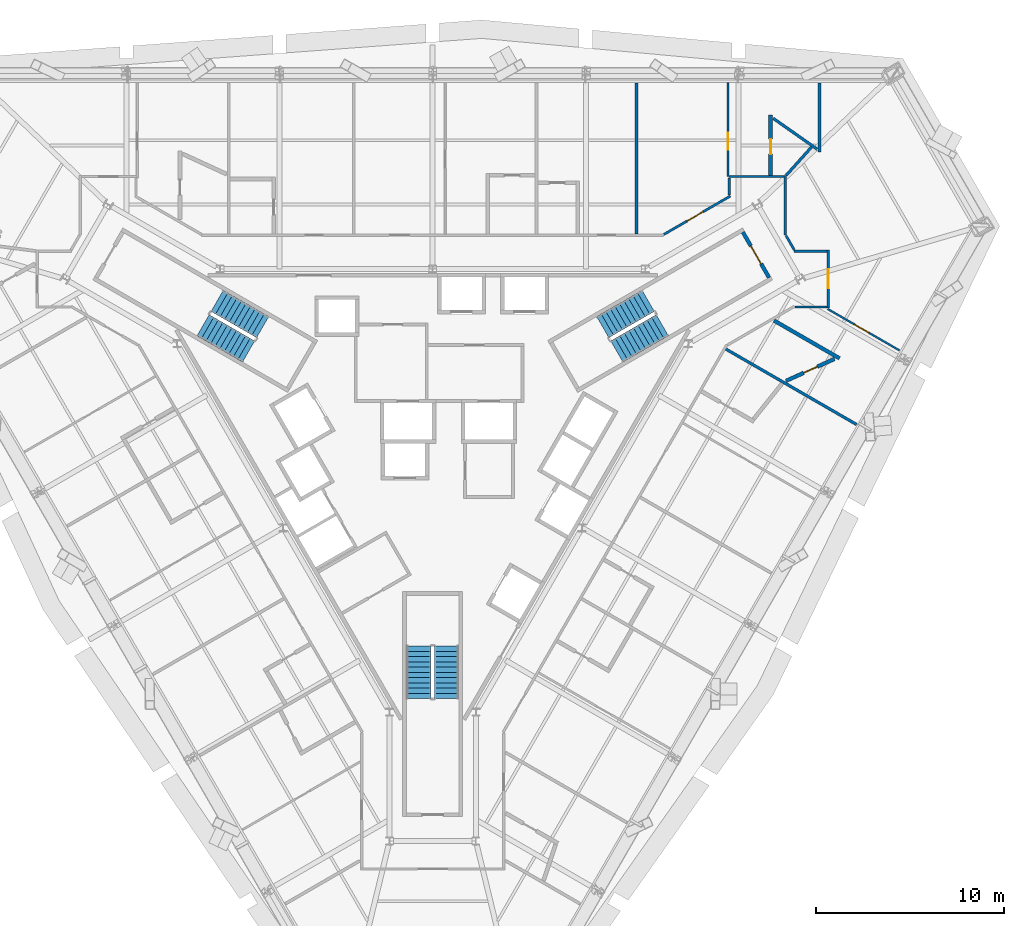
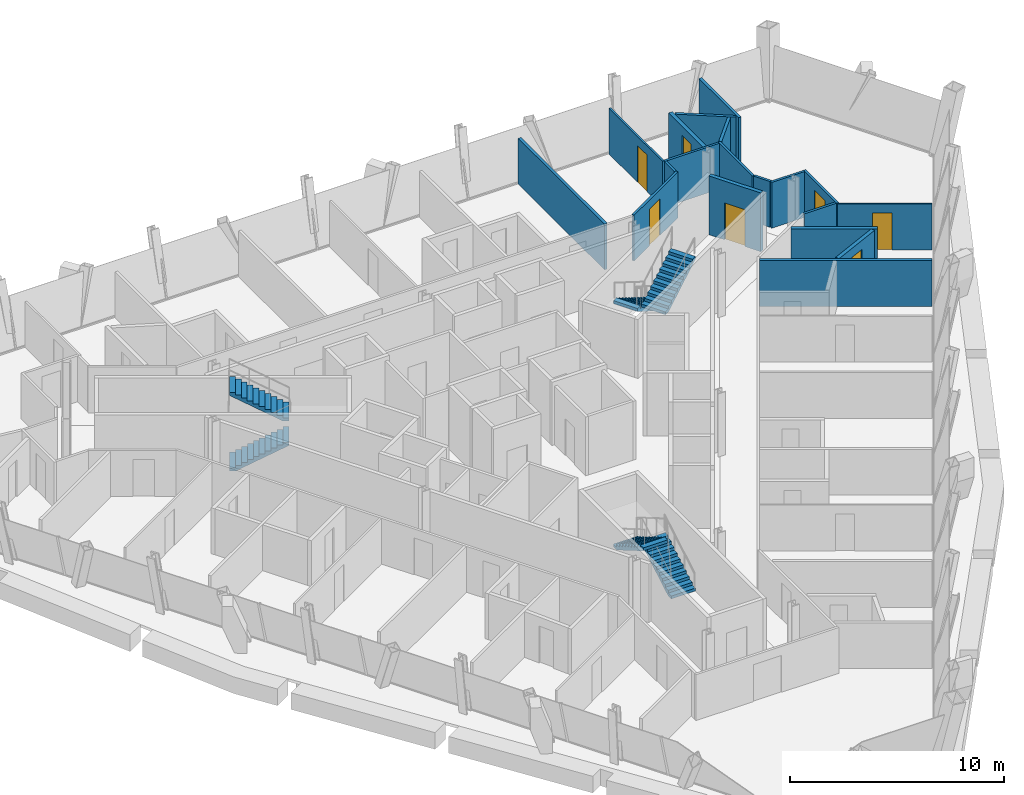
# One storey, part 12 of 14: 19 walls, 7 doors, 6 stair flights, 7 openings, 3 elements without a shape of their own.
"""IFC4 building model written with IfcOpenShell, lengths in metres."""

from ifc_helpers import new_model, si_unit, direction, frame, frame_2d, origin, place, context, subcontext, project, spatial, polyline, rectangle, outline, extrude, material, layer, layer_set, type_object, element, fill, aggregate, save


model = new_model("IFC4")

# Units and contexts
model_context = context("Model", 3, precision=1e-05, world=origin(), true_north=direction((0.0, 1.0)))
body_context = subcontext(model_context, "Body", "Model", "MODEL_VIEW")
ifc_project = project(units=[si_unit("LENGTHUNIT", "METRE"), si_unit("AREAUNIT", "SQUARE_METRE"), si_unit("VOLUMEUNIT", "CUBIC_METRE"), si_unit("PLANEANGLEUNIT", "RADIAN"), si_unit("MASSUNIT", "GRAM", prefix="KILO")], contexts=[model_context])

# Site, building, storey
site_placement = place(None, origin())
site = spatial("IfcSite", under=ifc_project, at=site_placement, CompositionType="ELEMENT")
building_placement = place(site_placement, origin())
building = spatial("IfcBuilding", under=site, at=building_placement, Name="Verrane Prism Tower", CompositionType="ELEMENT")
storey_placement = place(building_placement, frame((0.0, 0.0, 128.800048828125)))
storey = spatial("IfcBuildingStorey", under=building, at=storey_placement, Name="L31", CompositionType="ELEMENT", Elevation=128.800048828125)

# Wall, opening, door
ifc_material_1 = material(Name="Concrete C40/50", Category="concrete")
ifc_layer_1 = layer(ifc_material_1, 0.199951171875)
ifc_layer_set_1 = layer_set([ifc_layer_1], Name="CW-200 stair core wall concrete C40/50 3 h")
wall_type_1 = type_object("IfcWallType", Name="CW-200 stair core wall concrete C40/50 3 h", PredefinedType="PARTITIONING", material=ifc_layer_set_1)
wall_1_placement = place(storey_placement, frame((17.933837890625, 8.737548828125, 0.0), z_axis=(0.0, 0.0, 1.0), x_axis=(-0.49998411664, 0.866034573852, 0.0)))
wall_1 = element("IfcWall", 1, at=wall_1_placement, inside=storey, type_object=wall_type_1, Name="Stair 1 enclosure wall", PredefinedType="PARTITIONING", context=body_context, shape_type="SweptSolid", body=[
    extrude(rectangle(XDim=2.7998046875, YDim=0.199951171875, at=frame_2d((1.39990234375, 0.0))), origin(), (0.0, 0.0, 1.0), 3.349853515625),
])
opening_1_placement = place(wall_1_placement, frame((0.849853515625, 0.0, 0.0)))
opening_1 = element("IfcOpeningElement", 2, at=opening_1_placement, cuts=wall_1, Name="Opening D29500", PredefinedType="OPENING", context=body_context, shape_type="SweptSolid", body=[
    extrude(rectangle(XDim=1.10009765625, YDim=2.10009765625, at=frame_2d((0.550048828125, 1.050048828125))), frame((0.0, 0.10986328125, 0.0), z_axis=(0.0, -1.0, 0.0), x_axis=(1.0, 0.0, 0.0)), (0.0, 0.0, 1.0), 0.219970703125),
])
ifc_material_2 = material(Name="Timber veneered door leaf", Category="wood")
door_type_1 = type_object("IfcDoorType", Name="DR-1100x2100 FD90 single leaf stair", OperationType="NOTDEFINED", PredefinedType="DOOR", material=ifc_material_2)
door_1_placement = place(opening_1_placement, origin())
door_1 = element("IfcDoor", 3, at=door_1_placement, inside=storey, type_object=door_type_1, Name="Stair 1 door", OperationType="SINGLE_SWING_LEFT", OverallHeight=2.10009765625, OverallWidth=1.10009765625, PredefinedType="DOOR", context=body_context, shape_type="SweptSolid", body=[
    extrude(rectangle(XDim=1.10009765625, YDim=2.10009765625, at=frame_2d((0.550048828125, 1.050048828125))), frame((0.0, 0.02490234375, 0.0), z_axis=(0.0, -1.0, 0.0), x_axis=(1.0, 0.0, 0.0)), (0.0, 0.0, 1.0), 0.050048828125),
])
fill(opening_1, door_1)

ifc_material_3 = material(Name="Gypsum board partition", Category="other")
ifc_layer_2 = layer(ifc_material_3, 0.10009765625)
ifc_layer_set_2 = layer_set([ifc_layer_2], Name="PW-100 room partition")
wall_type_2 = type_object("IfcWallType", Name="PW-100 room partition", PredefinedType="PARTITIONING", material=ifc_layer_set_2)
wall_2_placement = place(storey_placement, frame((15.740966796875, 19.114990234375, 0.0), z_axis=(0.0, 0.0, 1.0), x_axis=(0.0, -1.0, 0.0)))
wall_2 = element("IfcWall", 4, at=wall_2_placement, inside=storey, type_object=wall_type_2, Name="Room partition 066", PredefinedType="PARTITIONING", context=body_context, shape_type="SweptSolid", body=[
    extrude(rectangle(XDim=4.98486328125, YDim=0.10009765625, at=frame_2d((2.492431640625, 0.0))), origin(), (0.0, 0.0, 1.0), 2.613037109375),
])
opening_2_placement = place(wall_2_placement, frame((2.65087890625, 0.0, 0.0)))
opening_2 = element("IfcOpeningElement", 5, at=opening_2_placement, cuts=wall_2, Name="Opening D29002", PredefinedType="OPENING", context=body_context, shape_type="SweptSolid", body=[
    extrude(rectangle(XDim=0.89990234375, YDim=2.10009765625, at=frame_2d((0.449951171875, 1.050048828125))), frame((0.0, 0.06005859375, 0.0), z_axis=(0.0, -1.0, 0.0), x_axis=(1.0, 0.0, 0.0)), (0.0, 0.0, 1.0), 0.1201171875),
])
ifc_material_4 = material(Name="Timber veneered door leaf", Category="wood")
door_type_2 = type_object("IfcDoorType", Name="DR-900x2100 single leaf inner", OperationType="NOTDEFINED", PredefinedType="DOOR", material=ifc_material_4)
door_2_placement = place(opening_2_placement, origin())
door_2 = element("IfcDoor", 6, at=door_2_placement, inside=storey, type_object=door_type_2, Name="Suite Living Room door", OperationType="SINGLE_SWING_LEFT", OverallHeight=2.10009765625, OverallWidth=0.89990234375, PredefinedType="DOOR", context=body_context, shape_type="SweptSolid", body=[
    extrude(rectangle(XDim=0.89990234375, YDim=2.10009765625, at=frame_2d((0.449951171875, 1.050048828125))), frame((0.0, 0.02490234375, 0.0), z_axis=(0.0, -1.0, 0.0), x_axis=(1.0, 0.0, 0.0)), (0.0, 0.0, 1.0), 0.050048828125),
])
fill(opening_2, door_2)

wall_3_placement = place(storey_placement, frame((24.8779296875, 4.85986328125, 0.0), z_axis=(0.0, 0.0, 1.0), x_axis=(-0.866005058873, 0.500035236765, 0.0)))
wall_3 = element("IfcWall", 7, at=wall_3_placement, inside=storey, type_object=wall_type_2, Name="Room partition 080", PredefinedType="PARTITIONING", context=body_context, shape_type="SweptSolid", body=[
    extrude(rectangle(XDim=4.414306640625, YDim=0.10009765625, at=frame_2d((2.20703125, 0.0))), origin(), (0.0, 0.0, 1.0), 2.613037109375),
])
opening_3_placement = place(wall_3_placement, frame((1.875732421875, 0.0, 0.0)))
opening_3 = element("IfcOpeningElement", 8, at=opening_3_placement, cuts=wall_3, Name="Opening D29039", PredefinedType="OPENING", context=body_context, shape_type="SweptSolid", body=[
    extrude(rectangle(XDim=0.89990234375, YDim=2.10009765625, at=frame_2d((0.449951171875, 1.050048828125))), frame((0.0, 0.06005859375, 0.0), z_axis=(0.0, -1.0, 0.0), x_axis=(1.0, 0.0, 0.0)), (0.0, 0.0, 1.0), 0.1201171875),
])
door_3_placement = place(opening_3_placement, origin())
door_3 = element("IfcDoor", 9, at=door_3_placement, inside=storey, type_object=door_type_2, Name="Suite Living Room door", OperationType="SINGLE_SWING_RIGHT", OverallHeight=2.10009765625, OverallWidth=0.89990234375, PredefinedType="DOOR", context=body_context, shape_type="SweptSolid", body=[
    extrude(rectangle(XDim=0.89990234375, YDim=2.10009765625, at=frame_2d((0.449951171875, 1.050048828125))), frame((0.0, 0.02490234375, 0.0), z_axis=(0.0, -1.0, 0.0), x_axis=(1.0, 0.0, 0.0)), (0.0, 0.0, 1.0), 0.050048828125),
])
fill(opening_3, door_3)

ifc_material_5 = material(Name="Gypsum board partition", Category="other")
ifc_layer_3 = layer(ifc_material_5, 0.125)
ifc_layer_set_3 = layer_set([ifc_layer_3], Name="PW-125 corridor wall 1 h")
wall_type_3 = type_object("IfcWallType", Name="PW-125 corridor wall 1 h", PredefinedType="PARTITIONING", material=ifc_layer_set_3)
wall_4_placement = place(storey_placement, frame((12.32666015625, 11.04248046875, 0.0), z_axis=(0.0, 0.0, 1.0), x_axis=(0.866070231021, 0.499922348909, 0.0)))
wall_4 = element("IfcWall", 10, at=wall_4_placement, inside=storey, type_object=wall_type_3, Name="Corridor wall 061", PredefinedType="PARTITIONING", context=body_context, shape_type="SweptSolid", body=[
    extrude(rectangle(XDim=4.088134765625, YDim=0.125, at=frame_2d((2.0439453125, 0.0))), origin(), (0.0, 0.0, 1.0), 2.613037109375),
])
opening_4_placement = place(wall_4_placement, frame((1.4150390625, 0.0, 0.0)))
opening_4 = element("IfcOpeningElement", 11, at=opening_4_placement, cuts=wall_4, Name="Opening D29001", PredefinedType="OPENING", context=body_context, shape_type="SweptSolid", body=[
    extrude(rectangle(XDim=1.0, YDim=2.10009765625, at=frame_2d((0.5, 1.050048828125))), frame((0.0, 0.072509765625, 0.0), z_axis=(0.0, -1.0, 0.0), x_axis=(1.0, 0.0, 0.0)), (0.0, 0.0, 1.0), 0.14501953125),
])
ifc_material_6 = material(Name="Timber veneered door leaf", Category="wood")
door_type_3 = type_object("IfcDoorType", Name="DR-1000x2100 FD20 single leaf unit", OperationType="NOTDEFINED", PredefinedType="DOOR", material=ifc_material_6)
door_4_placement = place(opening_4_placement, origin())
door_4 = element("IfcDoor", 12, at=door_4_placement, inside=storey, type_object=door_type_3, Name="Suite Living Room door", OperationType="SINGLE_SWING_LEFT", OverallHeight=2.10009765625, OverallWidth=1.0, PredefinedType="DOOR", context=body_context, shape_type="SweptSolid", body=[
    extrude(rectangle(XDim=1.0, YDim=2.10009765625, at=frame_2d((0.5, 1.050048828125))), frame((0.0, 0.02490234375, 0.0), z_axis=(0.0, -1.0, 0.0), x_axis=(1.0, 0.0, 0.0)), (0.0, 0.0, 1.0), 0.050048828125),
])
fill(opening_4, door_4)

# Walls
wall_5_placement = place(storey_placement, frame((15.81298828125, 13.139892578125, 0.0), z_axis=(0.0, 0.0, 1.0), x_axis=(0.0, 1.0, 0.0)))
element("IfcWall", 13, at=wall_5_placement, inside=storey, type_object=wall_type_3, Name="Corridor wall 067", PredefinedType="PARTITIONING", context=body_context, shape_type="SweptSolid", body=[
    extrude(rectangle(XDim=0.922119140625, YDim=0.125, at=frame_2d((0.4609375, 0.0))), origin(), (0.0, 0.0, 1.0), 2.613037109375),
])
wall_6_placement = place(storey_placement, frame((15.79541015625, 14.126953125, 0.0), z_axis=(0.0, 0.0, 1.0), x_axis=(1.0, 0.0, 0.0)))
element("IfcWall", 14, at=wall_6_placement, inside=storey, type_object=wall_type_3, Name="Corridor wall 068", PredefinedType="PARTITIONING", context=body_context, shape_type="SweptSolid", body=[
    extrude(rectangle(XDim=2.926513671875, YDim=0.125, at=frame_2d((1.46337890625, 0.0))), origin(), (0.0, 0.0, 1.0), 2.613037109375),
])
wall_7_placement = place(storey_placement, frame((18.787109375, 10.99755859375, 0.0), z_axis=(0.0, 0.0, 1.0), x_axis=(0.0, 1.0, 0.0)))
element("IfcWall", 15, at=wall_7_placement, inside=storey, type_object=wall_type_3, Name="Corridor wall 074", PredefinedType="PARTITIONING", context=body_context, shape_type="SweptSolid", body=[
    extrude(rectangle(XDim=3.19189453125, YDim=0.125, at=frame_2d((1.595947265625, 0.0))), origin(), (0.0, 0.0, 1.0), 2.613037109375),
])
wall_8_placement = place(storey_placement, frame((18.82958984375, 10.986328125, 0.0), z_axis=(0.0, 0.0, 1.0), x_axis=(0.499881837328, -0.866093614288, 0.0)))
element("IfcWall", 16, at=wall_8_placement, inside=storey, type_object=wall_type_3, Name="Corridor wall 075", PredefinedType="PARTITIONING", context=body_context, shape_type="SweptSolid", body=[
    extrude(rectangle(XDim=0.884033203125, YDim=0.125, at=frame_2d((0.44189453125, 0.0))), origin(), (0.0, 0.0, 1.0), 2.613037109375),
])
wall_9_placement = place(storey_placement, frame((19.30908203125, 7.173095703125, 0.0), z_axis=(0.0, 0.0, 1.0), x_axis=(1.0, 0.0, 0.0)))
element("IfcWall", 17, at=wall_9_placement, inside=storey, type_object=wall_type_3, Name="Corridor wall 077", PredefinedType="PARTITIONING", context=body_context, shape_type="SweptSolid", body=[
    extrude(rectangle(XDim=1.712890625, YDim=0.125, at=frame_2d((0.8564453125, 0.0))), origin(), (0.0, 0.0, 1.0), 2.613037109375),
])
wall_10_placement = place(storey_placement, frame((19.25146484375, 10.14697265625, 0.0), z_axis=(0.0, 0.0, 1.0), x_axis=(1.0, 0.0, 0.0)))
element("IfcWall", 18, at=wall_10_placement, inside=storey, type_object=wall_type_3, Name="Corridor wall 078", PredefinedType="PARTITIONING", context=body_context, shape_type="SweptSolid", body=[
    extrude(rectangle(XDim=1.7705078125, YDim=0.125, at=frame_2d((0.88525390625, 0.0))), origin(), (0.0, 0.0, 1.0), 2.613037109375),
])

# Wall, opening, door
wall_11_placement = place(storey_placement, frame((21.0869140625, 10.20947265625, 0.0), z_axis=(0.0, 0.0, 1.0), x_axis=(0.0, -1.0, 0.0)))
wall_11 = element("IfcWall", 19, at=wall_11_placement, inside=storey, type_object=wall_type_3, Name="Corridor wall 081", PredefinedType="PARTITIONING", context=body_context, shape_type="SweptSolid", body=[
    extrude(rectangle(XDim=3.098876953125, YDim=0.125, at=frame_2d((1.54931640625, 0.0))), origin(), (0.0, 0.0, 1.0), 2.613037109375),
])
opening_5_placement = place(wall_11_placement, frame((1.03662109375, 0.0, 0.0)))
opening_5 = element("IfcOpeningElement", 20, at=opening_5_placement, cuts=wall_11, Name="Opening D29038", PredefinedType="OPENING", context=body_context, shape_type="SweptSolid", body=[
    extrude(rectangle(XDim=1.0, YDim=2.10009765625, at=frame_2d((0.5, 1.050048828125))), frame((0.0, 0.072509765625, 0.0), z_axis=(0.0, -1.0, 0.0), x_axis=(1.0, 0.0, 0.0)), (0.0, 0.0, 1.0), 0.14501953125),
])
door_5_placement = place(opening_5_placement, origin())
door_5 = element("IfcDoor", 21, at=door_5_placement, inside=storey, type_object=door_type_3, Name="Suite Living Room door", OperationType="SINGLE_SWING_LEFT", OverallHeight=2.10009765625, OverallWidth=1.0, PredefinedType="DOOR", context=body_context, shape_type="SweptSolid", body=[
    extrude(rectangle(XDim=1.0, YDim=2.10009765625, at=frame_2d((0.5, 1.050048828125))), frame((0.0, 0.02490234375, 0.0), z_axis=(0.0, -1.0, 0.0), x_axis=(1.0, 0.0, 0.0)), (0.0, 0.0, 1.0), 0.050048828125),
])
fill(opening_5, door_5)

# Walls
ifc_material_7 = material(Name="Gypsum board partition", Category="other")
ifc_layer_4 = layer(ifc_material_7, 0.14990234375)
ifc_layer_set_4 = layer_set([ifc_layer_4], Name="PW-150 demising wall 1 h")
wall_type_4 = type_object("IfcWallType", Name="PW-150 demising wall 1 h", PredefinedType="PARTITIONING", material=ifc_layer_set_4)
wall_12_placement = place(storey_placement, frame((10.8701171875, 11.0625, 0.0), z_axis=(0.0, 0.0, 1.0), x_axis=(0.0, 1.0, 0.0)))
element("IfcWall", 22, at=wall_12_placement, inside=storey, type_object=wall_type_4, Name="Demising wall 059", PredefinedType="PARTITIONING", context=body_context, shape_type="SweptSolid", body=[
    extrude(rectangle(XDim=8.052490234375, YDim=0.14990234375, at=frame_2d((4.0263671875, 0.0))), origin(), (0.0, 0.0, 1.0), 2.613037109375),
])
wall_13_placement = place(storey_placement, frame((15.62646484375, 4.93115234375, 0.0), z_axis=(0.0, 0.0, 1.0), x_axis=(0.866059795523, -0.49994042703, 0.0)))
element("IfcWall", 23, at=wall_13_placement, inside=storey, type_object=wall_type_4, Name="Demising wall 064", PredefinedType="PARTITIONING", context=body_context, shape_type="SweptSolid", body=[
    extrude(rectangle(XDim=8.04736328125, YDim=0.14990234375, at=frame_2d((4.023681640625, 0.0))), origin(), (0.0, 0.0, 1.0), 2.613037109375),
])
wall_14_placement = place(storey_placement, frame((18.1552734375, 17.2265625, 0.0), z_axis=(0.0, 0.0, 1.0), x_axis=(0.818464329231, -0.574557344202, 0.0)))
element("IfcWall", 24, at=wall_14_placement, inside=storey, type_object=wall_type_4, Name="Demising wall 071", PredefinedType="PARTITIONING", context=body_context, shape_type="SweptSolid", body=[
    extrude(rectangle(XDim=2.856689453125, YDim=0.14990234375, at=frame_2d((1.42822265625, 0.0))), origin(), (0.0, 0.0, 1.0), 2.613037109375),
])
wall_15_placement = place(storey_placement, frame((18.845458984375, 14.192138671875, 0.0), z_axis=(0.0, 0.0, 1.0), x_axis=(0.66770692524, 0.744424248655, 0.0)))
element("IfcWall", 25, at=wall_15_placement, inside=storey, type_object=wall_type_4, Name="Demising wall 076", PredefinedType="PARTITIONING", context=body_context, shape_type="SweptSolid", body=[
    extrude(rectangle(XDim=2.017578125, YDim=0.14990234375, at=frame_2d((1.0087890625, 0.0))), origin(), (0.0, 0.0, 1.0), 2.613037109375),
])
wall_16_placement = place(storey_placement, frame((20.612060546875, 15.427001953125, 0.0), z_axis=(0.0, 0.0, 1.0), x_axis=(0.0, 1.0, 0.0)))
element("IfcWall", 26, at=wall_16_placement, inside=storey, type_object=wall_type_4, Name="Demising wall 079", PredefinedType="PARTITIONING", context=body_context, shape_type="SweptSolid", body=[
    extrude(rectangle(XDim=3.68798828125, YDim=0.14990234375, at=frame_2d((1.843994140625, 0.0))), origin(), (0.0, 0.0, 1.0), 2.613037109375),
])

# Wall, opening, door
ifc_material_8 = material(Name="Gypsum board partition", Category="other")
ifc_layer_5 = layer(ifc_material_8, 0.199951171875)
ifc_layer_set_5 = layer_set([ifc_layer_5], Name="PW-200 plumbing wall")
wall_type_5 = type_object("IfcWallType", Name="PW-200 plumbing wall", PredefinedType="PARTITIONING", material=ifc_layer_set_5)
wall_17_placement = place(storey_placement, frame((18.011962890625, 17.402099609375, 0.0), z_axis=(0.0, 0.0, 1.0), x_axis=(0.0, -1.0, 0.0)))
wall_17 = element("IfcWall", 27, at=wall_17_placement, inside=storey, type_object=wall_type_5, Name="Plumbing wall 070", PredefinedType="PARTITIONING", context=body_context, shape_type="SweptSolid", body=[
    extrude(rectangle(XDim=3.212646484375, YDim=0.199951171875, at=frame_2d((1.6064453125, 0.0))), origin(), (0.0, 0.0, 1.0), 2.613037109375),
])
opening_6_placement = place(wall_17_placement, frame((1.27490234375, 0.0, 0.0)))
opening_6 = element("IfcOpeningElement", 28, at=opening_6_placement, cuts=wall_17, Name="Opening D29003", PredefinedType="OPENING", context=body_context, shape_type="SweptSolid", body=[
    extrude(rectangle(XDim=0.800048828125, YDim=2.10009765625, at=frame_2d((0.39990234375, 1.050048828125))), frame((0.0, 0.10986328125, 0.0), z_axis=(0.0, -1.0, 0.0), x_axis=(1.0, 0.0, 0.0)), (0.0, 0.0, 1.0), 0.219970703125),
])
ifc_material_9 = material(Name="Timber veneered door leaf", Category="wood")
door_type_4 = type_object("IfcDoorType", Name="DR-800x2100 single leaf bath", OperationType="NOTDEFINED", PredefinedType="DOOR", material=ifc_material_9)
door_6_placement = place(opening_6_placement, origin())
door_6 = element("IfcDoor", 29, at=door_6_placement, inside=storey, type_object=door_type_4, Name="En-Suite door", OperationType="SINGLE_SWING_RIGHT", OverallHeight=2.10009765625, OverallWidth=0.800048828125, PredefinedType="DOOR", context=body_context, shape_type="SweptSolid", body=[
    extrude(rectangle(XDim=0.800048828125, YDim=2.10009765625, at=frame_2d((0.39990234375, 1.050048828125))), frame((0.0, 0.02490234375, 0.0), z_axis=(0.0, -1.0, 0.0), x_axis=(1.0, 0.0, 0.0)), (0.0, 0.0, 1.0), 0.050048828125),
])
fill(opening_6, door_6)

# Wall
wall_18_placement = place(storey_placement, frame((18.196533203125, 6.449951171875, 0.0), z_axis=(0.0, 0.0, 1.0), x_axis=(0.866031230052, -0.499989908473, 0.0)))
element("IfcWall", 30, at=wall_18_placement, inside=storey, type_object=wall_type_5, Name="Plumbing wall 072", PredefinedType="PARTITIONING", context=body_context, shape_type="SweptSolid", body=[
    extrude(rectangle(XDim=4.02978515625, YDim=0.199951171875, at=frame_2d((2.014892578125, 0.0))), origin(), (0.0, 0.0, 1.0), 2.613037109375),
])

# Wall, opening, door
wall_19_placement = place(storey_placement, frame((18.83349609375, 3.233642578125, 0.0), z_axis=(0.0, 0.0, 1.0), x_axis=(0.911141723421, 0.412093144618, 0.0)))
wall_19 = element("IfcWall", 31, at=wall_19_placement, inside=storey, type_object=wall_type_5, Name="Plumbing wall 073", PredefinedType="PARTITIONING", context=body_context, shape_type="SweptSolid", body=[
    extrude(rectangle(XDim=2.84130859375, YDim=0.199951171875, at=frame_2d((1.420654296875, 0.0))), origin(), (0.0, 0.0, 1.0), 2.613037109375),
])
opening_7_placement = place(wall_19_placement, frame((1.035888671875, 0.0, 0.0)))
opening_7 = element("IfcOpeningElement", 32, at=opening_7_placement, cuts=wall_19, Name="Opening D29040", PredefinedType="OPENING", context=body_context, shape_type="SweptSolid", body=[
    extrude(rectangle(XDim=0.800048828125, YDim=2.10009765625, at=frame_2d((0.39990234375, 1.050048828125))), frame((0.0, 0.10986328125, 0.0), z_axis=(0.0, -1.0, 0.0), x_axis=(1.0, 0.0, 0.0)), (0.0, 0.0, 1.0), 0.219970703125),
])
door_7_placement = place(opening_7_placement, origin())
door_7 = element("IfcDoor", 33, at=door_7_placement, inside=storey, type_object=door_type_4, Name="En-Suite door", OperationType="SINGLE_SWING_RIGHT", OverallHeight=2.10009765625, OverallWidth=0.800048828125, PredefinedType="DOOR", context=body_context, shape_type="SweptSolid", body=[
    extrude(rectangle(XDim=0.800048828125, YDim=2.10009765625, at=frame_2d((0.39990234375, 1.050048828125))), frame((0.0, 0.02490234375, 0.0), z_axis=(0.0, -1.0, 0.0), x_axis=(1.0, 0.0, 0.0)), (0.0, 0.0, 1.0), 0.050048828125),
])
fill(opening_7, door_7)

# Stair, stair flights
ifc_material_10 = material(Name="Concrete C40/50", Category="concrete")
stair_type = type_object("IfcStairType", Name="Exit stair 1300 dog-leg precast concrete C40/50", PredefinedType="HALF_TURN_STAIR", material=ifc_material_10)
stair_1_placement = place(storey_placement, origin())
stair_1 = element("IfcStair", 34, at=stair_1_placement, inside=storey, type_object=stair_type, Name="Stair 1 L31", PredefinedType="HALF_TURN_STAIR")
ifc_material_11 = material(Name="Concrete C40/50", Category="concrete")
stair_flight_type = type_object("IfcStairFlightType", Name="Stair flight 1300 precast concrete C40/50", PredefinedType="STRAIGHT", material=ifc_material_11)
stair_flight_1_placement = place(storey_placement, frame((11.489501953125, 7.49951171875, 0.0), z_axis=(0.0, 0.0, 1.0), x_axis=(-0.866025403784, -0.5, 0.0)))
stair_flight_1 = element("IfcStairFlight", 35, at=stair_flight_1_placement, type_object=stair_flight_type, Name="Stair 1 flight 1", NumberOfRisers=11, NumberOfTreads=10, PredefinedType="STRAIGHT", RiserHeight=0.163636364, TreadLength=0.28, context=body_context, shape_type="SweptSolid", body=[
    extrude(outline(polyline([(0.0, 0.0), (0.0, 0.16357421875), (0.280029296875, 0.16357421875), (0.280029296875, 0.327392578125), (0.56005859375, 0.327392578125), (0.56005859375, 0.490966796875), (0.840087890625, 0.490966796875), (0.840087890625, 0.654541015625), (1.1201171875, 0.654541015625), (1.1201171875, 0.818115234375), (1.39990234375, 0.818115234375), (1.39990234375, 0.98193359375), (1.679931640625, 0.98193359375), (1.679931640625, 1.1455078125), (1.9599609375, 1.1455078125), (1.9599609375, 1.30908203125), (2.239990234375, 1.30908203125), (2.239990234375, 1.47265625), (2.52001953125, 1.47265625), (2.52001953125, 1.636474609375), (2.800048828125, 1.636474609375), (2.800048828125, 1.800048828125), (2.800048828125, 1.462646484375), (0.297119140625, 0.0), (0.0, 0.0)])), frame((0.0, 0.64990234375, 0.0), z_axis=(0.0, -1.0, 0.0), x_axis=(1.0, 0.0, 0.0)), (0.0, 0.0, 1.0), 1.300048828125),
])
stair_flight_2_placement = place(storey_placement, frame((9.814697265625, 4.800537109375, 1.800048828125), z_axis=(0.0, 0.0, 1.0), x_axis=(0.866025403784, 0.5, 0.0)))
stair_flight_2 = element("IfcStairFlight", 36, at=stair_flight_2_placement, type_object=stair_flight_type, Name="Stair 1 flight 2", NumberOfRisers=11, NumberOfTreads=10, PredefinedType="STRAIGHT", RiserHeight=0.163636364, TreadLength=0.28, context=body_context, shape_type="SweptSolid", body=[
    extrude(outline(polyline([(0.0, 0.0), (0.0, 0.16357421875), (0.280029296875, 0.16357421875), (0.280029296875, 0.327392578125), (0.56005859375, 0.327392578125), (0.56005859375, 0.490966796875), (0.840087890625, 0.490966796875), (0.840087890625, 0.654541015625), (1.1201171875, 0.654541015625), (1.1201171875, 0.818115234375), (1.39990234375, 0.818115234375), (1.39990234375, 0.98193359375), (1.679931640625, 0.98193359375), (1.679931640625, 1.1455078125), (1.9599609375, 1.1455078125), (1.9599609375, 1.30908203125), (2.239990234375, 1.30908203125), (2.239990234375, 1.47265625), (2.52001953125, 1.47265625), (2.52001953125, 1.636474609375), (2.800048828125, 1.636474609375), (2.800048828125, 1.800048828125), (2.800048828125, 1.462646484375), (0.297119140625, 0.0), (0.0, 0.0)])), frame((0.0, 0.64990234375, 0.0), z_axis=(0.0, -1.0, 0.0), x_axis=(1.0, 0.0, 0.0)), (0.0, 0.0, 1.0), 1.300048828125),
])
aggregate(stair_1, [stair_flight_1, stair_flight_2])

stair_2_placement = place(storey_placement, origin())
stair_2 = element("IfcStair", 37, at=stair_2_placement, inside=storey, type_object=stair_type, Name="Stair 2 L31", PredefinedType="HALF_TURN_STAIR")
stair_flight_3_placement = place(storey_placement, frame((-12.239501953125, 6.200439453125, 0.0), z_axis=(0.0, 0.0, 1.0), x_axis=(0.866025403784, -0.5, 0.0)))
stair_flight_3 = element("IfcStairFlight", 38, at=stair_flight_3_placement, type_object=stair_flight_type, Name="Stair 2 flight 1", NumberOfRisers=11, NumberOfTreads=10, PredefinedType="STRAIGHT", RiserHeight=0.163636364, TreadLength=0.28, context=body_context, shape_type="SweptSolid", body=[
    extrude(outline(polyline([(0.0, 0.0), (0.0, 0.16357421875), (0.280029296875, 0.16357421875), (0.280029296875, 0.327392578125), (0.56005859375, 0.327392578125), (0.56005859375, 0.490966796875), (0.840087890625, 0.490966796875), (0.840087890625, 0.654541015625), (1.1201171875, 0.654541015625), (1.1201171875, 0.818115234375), (1.39990234375, 0.818115234375), (1.39990234375, 0.98193359375), (1.679931640625, 0.98193359375), (1.679931640625, 1.1455078125), (1.9599609375, 1.1455078125), (1.9599609375, 1.30908203125), (2.239990234375, 1.30908203125), (2.239990234375, 1.47265625), (2.52001953125, 1.47265625), (2.52001953125, 1.636474609375), (2.800048828125, 1.636474609375), (2.800048828125, 1.800048828125), (2.800048828125, 1.462646484375), (0.297119140625, 0.0), (0.0, 0.0)])), frame((0.0, 0.64990234375, 0.0), z_axis=(0.0, -1.0, 0.0), x_axis=(1.0, 0.0, 0.0)), (0.0, 0.0, 1.0), 1.300048828125),
])
stair_flight_4_placement = place(storey_placement, frame((-9.064697265625, 6.099609375, 1.800048828125), z_axis=(0.0, 0.0, 1.0), x_axis=(-0.866025403784, 0.5, 0.0)))
stair_flight_4 = element("IfcStairFlight", 39, at=stair_flight_4_placement, type_object=stair_flight_type, Name="Stair 2 flight 2", NumberOfRisers=11, NumberOfTreads=10, PredefinedType="STRAIGHT", RiserHeight=0.163636364, TreadLength=0.28, context=body_context, shape_type="SweptSolid", body=[
    extrude(outline(polyline([(0.0, 0.0), (0.0, 0.16357421875), (0.280029296875, 0.16357421875), (0.280029296875, 0.327392578125), (0.56005859375, 0.327392578125), (0.56005859375, 0.490966796875), (0.840087890625, 0.490966796875), (0.840087890625, 0.654541015625), (1.1201171875, 0.654541015625), (1.1201171875, 0.818115234375), (1.39990234375, 0.818115234375), (1.39990234375, 0.98193359375), (1.679931640625, 0.98193359375), (1.679931640625, 1.1455078125), (1.9599609375, 1.1455078125), (1.9599609375, 1.30908203125), (2.239990234375, 1.30908203125), (2.239990234375, 1.47265625), (2.52001953125, 1.47265625), (2.52001953125, 1.636474609375), (2.800048828125, 1.636474609375), (2.800048828125, 1.800048828125), (2.800048828125, 1.462646484375), (0.297119140625, 0.0), (0.0, 0.0)])), frame((0.0, 0.64990234375, 0.0), z_axis=(0.0, -1.0, 0.0), x_axis=(1.0, 0.0, 0.0)), (0.0, 0.0, 1.0), 1.300048828125),
])
aggregate(stair_2, [stair_flight_3, stair_flight_4])

stair_3_placement = place(storey_placement, origin())
stair_3 = element("IfcStair", 40, at=stair_3_placement, inside=storey, type_object=stair_type, Name="Stair 3 L31", PredefinedType="HALF_TURN_STAIR")
stair_flight_5_placement = place(storey_placement, frame((0.75, -13.699951171875, 0.0), z_axis=(0.0, 0.0, 1.0), x_axis=(0.0, 1.0, 0.0)))
stair_flight_5 = element("IfcStairFlight", 41, at=stair_flight_5_placement, type_object=stair_flight_type, Name="Stair 3 flight 1", NumberOfRisers=11, NumberOfTreads=10, PredefinedType="STRAIGHT", RiserHeight=0.163636364, TreadLength=0.28, context=body_context, shape_type="SweptSolid", body=[
    extrude(outline(polyline([(0.0, 0.0), (0.0, 0.16357421875), (0.280029296875, 0.16357421875), (0.280029296875, 0.327392578125), (0.56005859375, 0.327392578125), (0.56005859375, 0.490966796875), (0.840087890625, 0.490966796875), (0.840087890625, 0.654541015625), (1.1201171875, 0.654541015625), (1.1201171875, 0.818115234375), (1.39990234375, 0.818115234375), (1.39990234375, 0.98193359375), (1.679931640625, 0.98193359375), (1.679931640625, 1.1455078125), (1.9599609375, 1.1455078125), (1.9599609375, 1.30908203125), (2.239990234375, 1.30908203125), (2.239990234375, 1.47265625), (2.52001953125, 1.47265625), (2.52001953125, 1.636474609375), (2.800048828125, 1.636474609375), (2.800048828125, 1.800048828125), (2.800048828125, 1.462646484375), (0.297119140625, 0.0), (0.0, 0.0)])), frame((0.0, 0.64990234375, 0.0), z_axis=(0.0, -1.0, 0.0), x_axis=(1.0, 0.0, 0.0)), (0.0, 0.0, 1.0), 1.300048828125),
])
stair_flight_6_placement = place(storey_placement, frame((-0.75, -10.89990234375, 1.800048828125), z_axis=(0.0, 0.0, 1.0), x_axis=(0.0, -1.0, 0.0)))
stair_flight_6 = element("IfcStairFlight", 42, at=stair_flight_6_placement, type_object=stair_flight_type, Name="Stair 3 flight 2", NumberOfRisers=11, NumberOfTreads=10, PredefinedType="STRAIGHT", RiserHeight=0.163636364, TreadLength=0.28, context=body_context, shape_type="SweptSolid", body=[
    extrude(outline(polyline([(0.0, 0.0), (0.0, 0.16357421875), (0.280029296875, 0.16357421875), (0.280029296875, 0.327392578125), (0.56005859375, 0.327392578125), (0.56005859375, 0.490966796875), (0.840087890625, 0.490966796875), (0.840087890625, 0.654541015625), (1.1201171875, 0.654541015625), (1.1201171875, 0.818115234375), (1.39990234375, 0.818115234375), (1.39990234375, 0.98193359375), (1.679931640625, 0.98193359375), (1.679931640625, 1.1455078125), (1.9599609375, 1.1455078125), (1.9599609375, 1.30908203125), (2.239990234375, 1.30908203125), (2.239990234375, 1.47265625), (2.52001953125, 1.47265625), (2.52001953125, 1.636474609375), (2.800048828125, 1.636474609375), (2.800048828125, 1.800048828125), (2.800048828125, 1.462646484375), (0.297119140625, 0.0), (0.0, 0.0)])), frame((0.0, 0.64990234375, 0.0), z_axis=(0.0, -1.0, 0.0), x_axis=(1.0, 0.0, 0.0)), (0.0, 0.0, 1.0), 1.300048828125),
])
aggregate(stair_3, [stair_flight_5, stair_flight_6])

save(model, "model.ifc")
